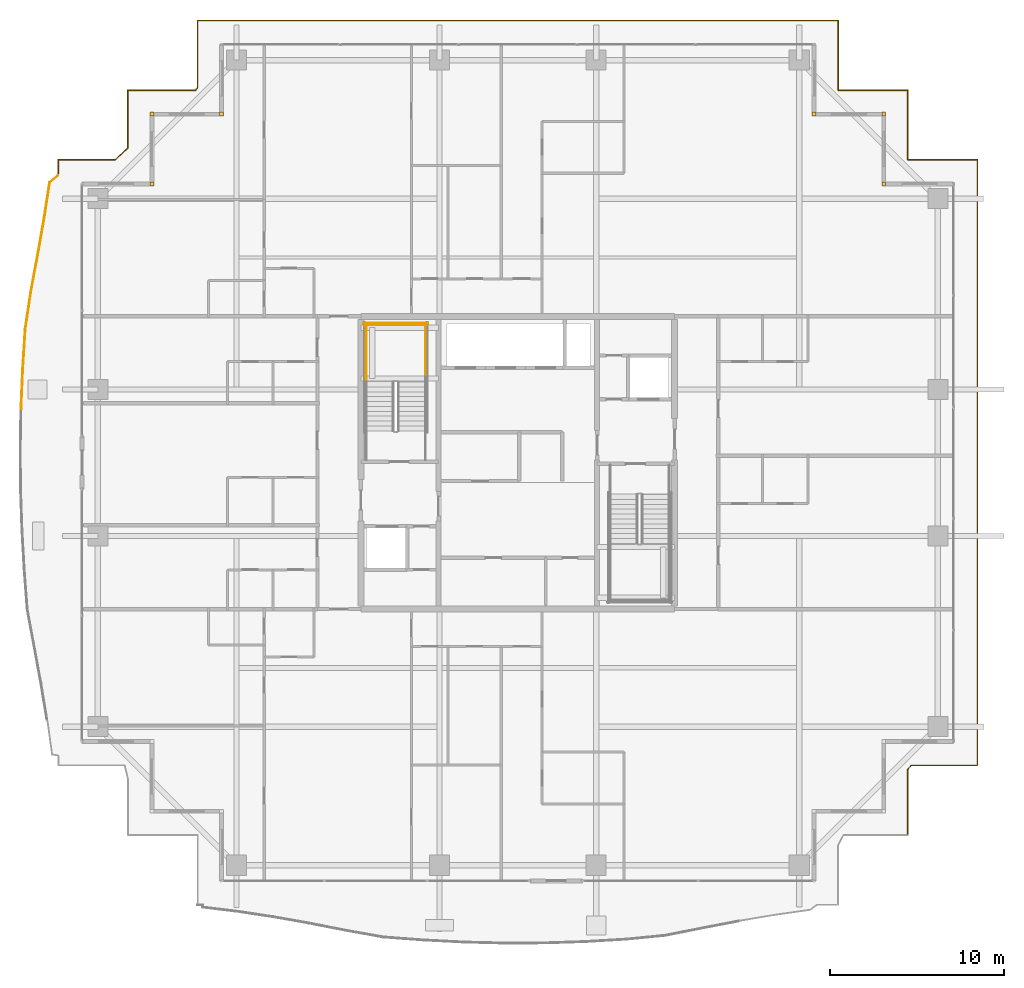
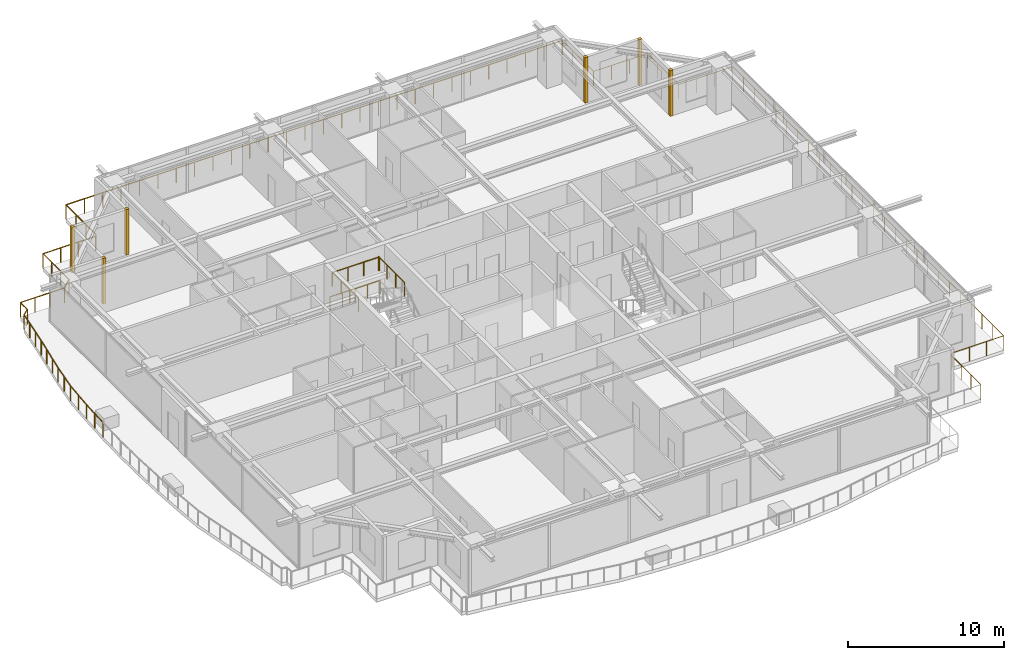
# One storey, part 36 of 36: 7 railings, 6 coverings.
"""IFC4 building model written with IfcOpenShell, lengths in metres."""

from ifc_helpers import new_model, si_unit, direction, frame, origin, origin_2d, place, context, subcontext, project, spatial, rectangle, circle, extrude, source, transform, mapped, material, layer, layer_set, type_object, element, save


model = new_model("IFC4")

# Units and contexts
model_context = context("Model", 3, precision=1e-05, world=origin(), true_north=direction((0.0, 1.0)))
body_context = subcontext(model_context, "Body", "Model", "MODEL_VIEW")
ifc_project = project(units=[si_unit("LENGTHUNIT", "METRE"), si_unit("AREAUNIT", "SQUARE_METRE"), si_unit("VOLUMEUNIT", "CUBIC_METRE"), si_unit("PLANEANGLEUNIT", "RADIAN"), si_unit("MASSUNIT", "GRAM", prefix="KILO")], contexts=[model_context])

# Site, building, storey
site_placement = place(None, origin())
site = spatial("IfcSite", under=ifc_project, at=site_placement, CompositionType="ELEMENT")
building_placement = place(site_placement, origin())
building = spatial("IfcBuilding", under=site, at=building_placement, Name="Serunith Strait Residences", CompositionType="ELEMENT")
storey_placement = place(building_placement, frame((0.0, 0.0, 272.050048828125)))
storey = spatial("IfcBuildingStorey", under=building, at=storey_placement, Name="L68", CompositionType="ELEMENT", Elevation=272.050048828125)

# Railings
ifc_material_1 = material(Name="Stainless Steel & Laminated Glass Balustrade", Category="steel")
railing_type_1 = type_object("IfcRailingType", Name="RLG-BALC-1150", PredefinedType="BALUSTRADE", material=ifc_material_1)
railing_1_placement = place(storey_placement, frame((3.897216796875, 28.287841796875, -0.050048828125)))
element("IfcRailing", 1, at=railing_1_placement, inside=storey, type_object=railing_type_1, Name="L68 Swirling Balcony Perimeter Balustrade 3", PredefinedType="BALUSTRADE", context=body_context, shape_type="SweptSolid", body=[
    extrude(circle(Radius=0.02392578125, at=origin_2d()), frame((0.0, 0.001953125, 1.1259765625), z_axis=(0.04203913247, 0.999115964912, 0.0), x_axis=(-0.999115964912, 0.04203913247, 0.0)), (0.0, 0.0, 1.0), 2.307373046875),
    extrude(circle(Radius=0.02392578125, at=origin_2d()), frame((0.097412109375, 2.311279296875, 1.1259765625), z_axis=(0.063688832216, 0.997969805481, 0.0), x_axis=(-0.997969805481, 0.063688832216, 0.0)), (0.0, 0.0, 1.0), 2.28076171875),
    extrude(circle(Radius=0.02392578125, at=origin_2d()), frame((0.242919921875, 4.59130859375, 1.1259765625), z_axis=(0.147694138724, 0.989033084071, 0.0), x_axis=(-0.989033084071, 0.147694138724, 0.0)), (0.0, 0.0, 1.0), 2.212646484375),
    extrude(circle(Radius=0.02392578125, at=origin_2d()), frame((0.570556640625, 6.78369140625, 1.1259765625), z_axis=(0.184659476685, 0.982802562914, 0.0), x_axis=(-0.982802562914, 0.184659476685, 0.0)), (0.0, 0.0, 1.0), 2.141845703125),
    extrude(circle(Radius=0.02392578125, at=origin_2d()), frame((0.966552734375, 8.892578125, 1.1259765625), z_axis=(0.172847119247, 0.984948665347, 0.0), x_axis=(-0.984948665347, 0.172847119247, 0.0)), (0.0, 0.0, 1.0), 2.08935546875),
    extrude(circle(Radius=0.02392578125, at=origin_2d()), frame((1.328369140625, 10.954345703125, 1.1259765625), z_axis=(0.15096901969, 0.988538494493, 0.0), x_axis=(-0.988538494493, 0.15096901969, 0.0)), (0.0, 0.0, 1.0), 2.052978515625),
    extrude(circle(Radius=0.02392578125, at=origin_2d()), frame((1.64013671875, 12.987060546875, 1.1259765625), z_axis=(0.765081257459, 0.643933746192, 0.0), x_axis=(-0.643933746192, 0.765081257459, 0.0)), (0.0, 0.0, 1.0), 0.628662109375),
    extrude(circle(Radius=0.02099609375, at=origin_2d()), origin(), (0.0, 0.0, 1.0), 1.099853515625),
    extrude(circle(Radius=0.02099609375, at=origin_2d()), frame((0.048583984375, 1.15478515625, 0.0)), (0.0, 0.0, 1.0), 1.099853515625),
    extrude(circle(Radius=0.02099609375, at=origin_2d()), frame((0.09716796875, 2.309326171875, 0.0)), (0.0, 0.0, 1.0), 1.099853515625),
    extrude(circle(Radius=0.02099609375, at=origin_2d()), frame((0.169921875, 3.44921875, 0.0)), (0.0, 0.0, 1.0), 1.099853515625),
    extrude(circle(Radius=0.02099609375, at=origin_2d()), frame((0.24267578125, 4.58935546875, 0.0)), (0.0, 0.0, 1.0), 1.099853515625),
    extrude(circle(Radius=0.02099609375, at=origin_2d()), frame((0.40625, 5.685546875, 0.0)), (0.0, 0.0, 1.0), 1.099853515625),
    extrude(circle(Radius=0.02099609375, at=origin_2d()), frame((0.570068359375, 6.78173828125, 0.0)), (0.0, 0.0, 1.0), 1.099853515625),
    extrude(circle(Radius=0.02099609375, at=origin_2d()), frame((0.76806640625, 7.836181640625, 0.0)), (0.0, 0.0, 1.0), 1.099853515625),
    extrude(circle(Radius=0.02099609375, at=origin_2d()), frame((0.96630859375, 8.890625, 0.0)), (0.0, 0.0, 1.0), 1.099853515625),
    extrude(circle(Radius=0.02099609375, at=origin_2d()), frame((1.147216796875, 9.92138671875, 0.0)), (0.0, 0.0, 1.0), 1.099853515625),
    extrude(circle(Radius=0.02099609375, at=origin_2d()), frame((1.328125, 10.952392578125, 0.0)), (0.0, 0.0, 1.0), 1.099853515625),
    extrude(circle(Radius=0.02099609375, at=origin_2d()), frame((1.4833984375, 11.96923828125, 0.0)), (0.0, 0.0, 1.0), 1.099853515625),
    extrude(circle(Radius=0.02099609375, at=origin_2d()), frame((1.638671875, 12.98583984375, 0.0)), (0.0, 0.0, 1.0), 1.099853515625),
    extrude(circle(Radius=0.02099609375, at=origin_2d()), frame((2.122802734375, 13.393310546875, 0.0)), (0.0, 0.0, 1.0), 1.099853515625),
])
railing_2_placement = place(storey_placement, frame((6.02001953125, 41.68115234375, -0.050048828125)))
element("IfcRailing", 2, at=railing_2_placement, inside=storey, type_object=railing_type_1, Name="L68 Swirling Balcony Perimeter Balustrade 4", PredefinedType="BALUSTRADE", context=body_context, shape_type="SweptSolid", body=[
    extrude(circle(Radius=0.02392578125, at=origin_2d()), frame((0.0, 0.001953125, 1.1259765625), z_axis=(0.0, 1.0, 0.0), x_axis=(-1.0, 0.0, 0.0)), (0.0, 0.0, 1.0), 0.89501953125),
    extrude(circle(Radius=0.02392578125, at=origin_2d()), frame((0.001953125, 0.89892578125, 1.1259765625), z_axis=(1.0, 0.0, 0.0), x_axis=(0.0, 1.0, 0.0)), (0.0, 0.0, 1.0), 3.25927734375),
    extrude(circle(Radius=0.02392578125, at=origin_2d()), frame((3.2646484375, 0.900390625, 1.1259765625), z_axis=(0.732603257625, 0.680655909338, 0.0), x_axis=(-0.680655909338, 0.732603257625, 0.0)), (0.0, 0.0, 1.0), 1.001708984375),
    extrude(circle(Radius=0.02392578125, at=origin_2d()), frame((4.0, 1.58544921875, 1.1259765625), z_axis=(0.0, 1.0, 0.0), x_axis=(-1.0, 0.0, 0.0)), (0.0, 0.0, 1.0), 3.3115234375),
    extrude(circle(Radius=0.02392578125, at=origin_2d()), frame((4.001953125, 4.89892578125, 1.1259765625), z_axis=(1.0, 0.0, 0.0), x_axis=(0.0, 1.0, 0.0)), (0.0, 0.0, 1.0), 3.89501953125),
    extrude(circle(Radius=0.02392578125, at=origin_2d()), frame((7.89990234375, 4.900634765625, 1.1259765625), z_axis=(0.547356223896, 0.836899733638, 0.0), x_axis=(-0.836899733638, 0.547356223896, 0.0)), (0.0, 0.0, 1.0), 0.1806640625),
    extrude(circle(Radius=0.02392578125, at=origin_2d()), frame((8.0, 5.055419921875, 1.1259765625), z_axis=(0.0, 1.0, 0.0), x_axis=(-1.0, 0.0, 0.0)), (0.0, 0.0, 1.0), 3.841552734375),
    extrude(circle(Radius=0.02392578125, at=origin_2d()), frame((8.001953125, 8.89892578125, 1.1259765625), z_axis=(1.0, 0.0, 0.0), x_axis=(0.0, 1.0, 0.0)), (0.0, 0.0, 1.0), 36.756103515625),
    extrude(circle(Radius=0.02099609375, at=origin_2d()), origin(), (0.0, 0.0, 1.0), 1.099853515625),
    extrude(circle(Radius=0.02099609375, at=origin_2d()), frame((0.0, 0.89892578125, 0.0)), (0.0, 0.0, 1.0), 1.099853515625),
    extrude(circle(Radius=0.02099609375, at=origin_2d()), frame((1.087646484375, 0.89892578125, 0.0)), (0.0, 0.0, 1.0), 1.099853515625),
    extrude(circle(Radius=0.02099609375, at=origin_2d()), frame((2.175537109375, 0.89892578125, 0.0)), (0.0, 0.0, 1.0), 1.099853515625),
    extrude(circle(Radius=0.02099609375, at=origin_2d()), frame((3.26318359375, 0.89892578125, 0.0)), (0.0, 0.0, 1.0), 1.099853515625),
    extrude(circle(Radius=0.02099609375, at=origin_2d()), frame((4.0, 1.58349609375, 0.0)), (0.0, 0.0, 1.0), 1.099853515625),
    extrude(circle(Radius=0.02099609375, at=origin_2d()), frame((4.0, 2.688720703125, 0.0)), (0.0, 0.0, 1.0), 1.099853515625),
    extrude(circle(Radius=0.02099609375, at=origin_2d()), frame((4.0, 3.793701171875, 0.0)), (0.0, 0.0, 1.0), 1.099853515625),
    extrude(circle(Radius=0.02099609375, at=origin_2d()), frame((4.0, 4.89892578125, 0.0)), (0.0, 0.0, 1.0), 1.099853515625),
    extrude(circle(Radius=0.02099609375, at=origin_2d()), frame((5.299560546875, 4.89892578125, 0.0)), (0.0, 0.0, 1.0), 1.099853515625),
    extrude(circle(Radius=0.02099609375, at=origin_2d()), frame((6.599365234375, 4.89892578125, 0.0)), (0.0, 0.0, 1.0), 1.099853515625),
    extrude(circle(Radius=0.02099609375, at=origin_2d()), frame((7.89892578125, 4.89892578125, 0.0)), (0.0, 0.0, 1.0), 1.099853515625),
    extrude(circle(Radius=0.02099609375, at=origin_2d()), frame((8.0, 5.053466796875, 0.0)), (0.0, 0.0, 1.0), 1.099853515625),
    extrude(circle(Radius=0.02099609375, at=origin_2d()), frame((8.0, 6.335205078125, 0.0)), (0.0, 0.0, 1.0), 1.099853515625),
    extrude(circle(Radius=0.02099609375, at=origin_2d()), frame((8.0, 7.6171875, 0.0)), (0.0, 0.0, 1.0), 1.099853515625),
    extrude(circle(Radius=0.02099609375, at=origin_2d()), frame((8.0, 8.89892578125, 0.0)), (0.0, 0.0, 1.0), 1.099853515625),
    extrude(circle(Radius=0.02099609375, at=origin_2d()), frame((9.361572265625, 8.89892578125, 0.0)), (0.0, 0.0, 1.0), 1.099853515625),
    extrude(circle(Radius=0.02099609375, at=origin_2d()), frame((10.722900390625, 8.89892578125, 0.0)), (0.0, 0.0, 1.0), 1.099853515625),
    extrude(circle(Radius=0.02099609375, at=origin_2d()), frame((12.08447265625, 8.89892578125, 0.0)), (0.0, 0.0, 1.0), 1.099853515625),
    extrude(circle(Radius=0.02099609375, at=origin_2d()), frame((13.446044921875, 8.89892578125, 0.0)), (0.0, 0.0, 1.0), 1.099853515625),
    extrude(circle(Radius=0.02099609375, at=origin_2d()), frame((14.807373046875, 8.89892578125, 0.0)), (0.0, 0.0, 1.0), 1.099853515625),
    extrude(circle(Radius=0.02099609375, at=origin_2d()), frame((16.1689453125, 8.89892578125, 0.0)), (0.0, 0.0, 1.0), 1.099853515625),
    extrude(circle(Radius=0.02099609375, at=origin_2d()), frame((17.5302734375, 8.89892578125, 0.0)), (0.0, 0.0, 1.0), 1.099853515625),
    extrude(circle(Radius=0.02099609375, at=origin_2d()), frame((18.891845703125, 8.89892578125, 0.0)), (0.0, 0.0, 1.0), 1.099853515625),
    extrude(circle(Radius=0.02099609375, at=origin_2d()), frame((20.25341796875, 8.89892578125, 0.0)), (0.0, 0.0, 1.0), 1.099853515625),
    extrude(circle(Radius=0.02099609375, at=origin_2d()), frame((21.61474609375, 8.89892578125, 0.0)), (0.0, 0.0, 1.0), 1.099853515625),
    extrude(circle(Radius=0.02099609375, at=origin_2d()), frame((22.976318359375, 8.89892578125, 0.0)), (0.0, 0.0, 1.0), 1.099853515625),
    extrude(circle(Radius=0.02099609375, at=origin_2d()), frame((24.337890625, 8.89892578125, 0.0)), (0.0, 0.0, 1.0), 1.099853515625),
    extrude(circle(Radius=0.02099609375, at=origin_2d()), frame((25.69921875, 8.89892578125, 0.0)), (0.0, 0.0, 1.0), 1.099853515625),
    extrude(circle(Radius=0.02099609375, at=origin_2d()), frame((27.060791015625, 8.89892578125, 0.0)), (0.0, 0.0, 1.0), 1.099853515625),
    extrude(circle(Radius=0.02099609375, at=origin_2d()), frame((28.422119140625, 8.89892578125, 0.0)), (0.0, 0.0, 1.0), 1.099853515625),
    extrude(circle(Radius=0.02099609375, at=origin_2d()), frame((29.78369140625, 8.89892578125, 0.0)), (0.0, 0.0, 1.0), 1.099853515625),
    extrude(circle(Radius=0.02099609375, at=origin_2d()), frame((31.145263671875, 8.89892578125, 0.0)), (0.0, 0.0, 1.0), 1.099853515625),
    extrude(circle(Radius=0.02099609375, at=origin_2d()), frame((32.506591796875, 8.89892578125, 0.0)), (0.0, 0.0, 1.0), 1.099853515625),
    extrude(circle(Radius=0.02099609375, at=origin_2d()), frame((33.8681640625, 8.89892578125, 0.0)), (0.0, 0.0, 1.0), 1.099853515625),
    extrude(circle(Radius=0.02099609375, at=origin_2d()), frame((35.229736328125, 8.89892578125, 0.0)), (0.0, 0.0, 1.0), 1.099853515625),
    extrude(circle(Radius=0.02099609375, at=origin_2d()), frame((36.591064453125, 8.89892578125, 0.0)), (0.0, 0.0, 1.0), 1.099853515625),
    extrude(circle(Radius=0.02099609375, at=origin_2d()), frame((37.95263671875, 8.89892578125, 0.0)), (0.0, 0.0, 1.0), 1.099853515625),
    extrude(circle(Radius=0.02099609375, at=origin_2d()), frame((39.31396484375, 8.89892578125, 0.0)), (0.0, 0.0, 1.0), 1.099853515625),
    extrude(circle(Radius=0.02099609375, at=origin_2d()), frame((40.675537109375, 8.89892578125, 0.0)), (0.0, 0.0, 1.0), 1.099853515625),
    extrude(circle(Radius=0.02099609375, at=origin_2d()), frame((42.037109375, 8.89892578125, 0.0)), (0.0, 0.0, 1.0), 1.099853515625),
    extrude(circle(Radius=0.02099609375, at=origin_2d()), frame((43.3984375, 8.89892578125, 0.0)), (0.0, 0.0, 1.0), 1.099853515625),
    extrude(circle(Radius=0.02099609375, at=origin_2d()), frame((44.760009765625, 8.89892578125, 0.0)), (0.0, 0.0, 1.0), 1.099853515625),
])
railing_3_placement = place(storey_placement, frame((50.780029296875, 50.580078125, -0.050048828125)))
element("IfcRailing", 3, at=railing_3_placement, inside=storey, type_object=railing_type_1, Name="L68 Swirling Balcony Perimeter Balustrade 5", PredefinedType="BALUSTRADE", context=body_context, shape_type="SweptSolid", body=[
    extrude(circle(Radius=0.02392578125, at=origin_2d()), frame((0.0, -0.001953125, 1.1259765625), z_axis=(0.0, -1.0, 0.0), x_axis=(1.0, 0.0, 0.0)), (0.0, 0.0, 1.0), 3.99609375),
    extrude(circle(Radius=0.02392578125, at=origin_2d()), frame((0.001953125, -4.0, 1.1259765625), z_axis=(1.0, 0.0, 0.0), x_axis=(0.0, 1.0, 0.0)), (0.0, 0.0, 1.0), 3.99609375),
    extrude(circle(Radius=0.02392578125, at=origin_2d()), frame((4.0, -4.001953125, 1.1259765625), z_axis=(0.0, -1.0, 0.0), x_axis=(1.0, 0.0, 0.0)), (0.0, 0.0, 1.0), 3.99609375),
    extrude(circle(Radius=0.02392578125, at=origin_2d()), frame((4.001953125, -8.0, 1.1259765625), z_axis=(1.0, 0.0, 0.0), x_axis=(0.0, 1.0, 0.0)), (0.0, 0.0, 1.0), 3.99609375),
    extrude(circle(Radius=0.02392578125, at=origin_2d()), frame((8.0, -8.001953125, 1.1259765625), z_axis=(0.0, -1.0, 0.0), x_axis=(1.0, 0.0, 0.0)), (0.0, 0.0, 1.0), 34.756103515625),
    extrude(circle(Radius=0.02392578125, at=origin_2d()), frame((7.998046875, -42.760009765625, 1.1259765625), z_axis=(-1.0, 0.0, 0.0), x_axis=(0.0, -1.0, 0.0)), (0.0, 0.0, 1.0), 3.801025390625),
    extrude(circle(Radius=0.02392578125, at=origin_2d()), frame((4.19384765625, -42.761474609375, 1.1259765625), z_axis=(-0.659789800433, -0.751450210756, 0.0), x_axis=(0.751450210756, -0.659789800433, 0.0)), (0.0, 0.0, 1.0), 0.291748046875),
    extrude(circle(Radius=0.02392578125, at=origin_2d()), frame((4.0, -42.984130859375, 1.1259765625), z_axis=(0.0, -1.0, 0.0), x_axis=(1.0, 0.0, 0.0)), (0.0, 0.0, 1.0), 3.77392578125),
    extrude(circle(Radius=0.02099609375, at=origin_2d()), origin(), (0.0, 0.0, 1.0), 1.099853515625),
    extrude(circle(Radius=0.02099609375, at=origin_2d()), frame((0.0, -1.333251953125, 0.0)), (0.0, 0.0, 1.0), 1.099853515625),
    extrude(circle(Radius=0.02099609375, at=origin_2d()), frame((0.0, -2.666748046875, 0.0)), (0.0, 0.0, 1.0), 1.099853515625),
    extrude(circle(Radius=0.02099609375, at=origin_2d()), frame((0.0, -4.0, 0.0)), (0.0, 0.0, 1.0), 1.099853515625),
    extrude(circle(Radius=0.02099609375, at=origin_2d()), frame((1.333251953125, -4.0, 0.0)), (0.0, 0.0, 1.0), 1.099853515625),
    extrude(circle(Radius=0.02099609375, at=origin_2d()), frame((2.666748046875, -4.0, 0.0)), (0.0, 0.0, 1.0), 1.099853515625),
    extrude(circle(Radius=0.02099609375, at=origin_2d()), frame((4.0, -4.0, 0.0)), (0.0, 0.0, 1.0), 1.099853515625),
    extrude(circle(Radius=0.02099609375, at=origin_2d()), frame((4.0, -5.333251953125, 0.0)), (0.0, 0.0, 1.0), 1.099853515625),
    extrude(circle(Radius=0.02099609375, at=origin_2d()), frame((4.0, -6.666748046875, 0.0)), (0.0, 0.0, 1.0), 1.099853515625),
    extrude(circle(Radius=0.02099609375, at=origin_2d()), frame((4.0, -8.0, 0.0)), (0.0, 0.0, 1.0), 1.099853515625),
    extrude(circle(Radius=0.02099609375, at=origin_2d()), frame((5.333251953125, -8.0, 0.0)), (0.0, 0.0, 1.0), 1.099853515625),
    extrude(circle(Radius=0.02099609375, at=origin_2d()), frame((6.666748046875, -8.0, 0.0)), (0.0, 0.0, 1.0), 1.099853515625),
    extrude(circle(Radius=0.02099609375, at=origin_2d()), frame((8.0, -8.0, 0.0)), (0.0, 0.0, 1.0), 1.099853515625),
    extrude(circle(Radius=0.02099609375, at=origin_2d()), frame((8.0, -9.390380859375, 0.0)), (0.0, 0.0, 1.0), 1.099853515625),
    extrude(circle(Radius=0.02099609375, at=origin_2d()), frame((8.0, -10.78076171875, 0.0)), (0.0, 0.0, 1.0), 1.099853515625),
    extrude(circle(Radius=0.02099609375, at=origin_2d()), frame((8.0, -12.171142578125, 0.0)), (0.0, 0.0, 1.0), 1.099853515625),
    extrude(circle(Radius=0.02099609375, at=origin_2d()), frame((8.0, -13.5615234375, 0.0)), (0.0, 0.0, 1.0), 1.099853515625),
    extrude(circle(Radius=0.02099609375, at=origin_2d()), frame((8.0, -14.951904296875, 0.0)), (0.0, 0.0, 1.0), 1.099853515625),
    extrude(circle(Radius=0.02099609375, at=origin_2d()), frame((8.0, -16.34228515625, 0.0)), (0.0, 0.0, 1.0), 1.099853515625),
    extrude(circle(Radius=0.02099609375, at=origin_2d()), frame((8.0, -17.73291015625, 0.0)), (0.0, 0.0, 1.0), 1.099853515625),
    extrude(circle(Radius=0.02099609375, at=origin_2d()), frame((8.0, -19.123291015625, 0.0)), (0.0, 0.0, 1.0), 1.099853515625),
    extrude(circle(Radius=0.02099609375, at=origin_2d()), frame((8.0, -20.513671875, 0.0)), (0.0, 0.0, 1.0), 1.099853515625),
    extrude(circle(Radius=0.02099609375, at=origin_2d()), frame((8.0, -21.904052734375, 0.0)), (0.0, 0.0, 1.0), 1.099853515625),
    extrude(circle(Radius=0.02099609375, at=origin_2d()), frame((8.0, -23.29443359375, 0.0)), (0.0, 0.0, 1.0), 1.099853515625),
    extrude(circle(Radius=0.02099609375, at=origin_2d()), frame((8.0, -24.684814453125, 0.0)), (0.0, 0.0, 1.0), 1.099853515625),
    extrude(circle(Radius=0.02099609375, at=origin_2d()), frame((8.0, -26.0751953125, 0.0)), (0.0, 0.0, 1.0), 1.099853515625),
    extrude(circle(Radius=0.02099609375, at=origin_2d()), frame((8.0, -27.465576171875, 0.0)), (0.0, 0.0, 1.0), 1.099853515625),
    extrude(circle(Radius=0.02099609375, at=origin_2d()), frame((8.0, -28.85595703125, 0.0)), (0.0, 0.0, 1.0), 1.099853515625),
    extrude(circle(Radius=0.02099609375, at=origin_2d()), frame((8.0, -30.246337890625, 0.0)), (0.0, 0.0, 1.0), 1.099853515625),
    extrude(circle(Radius=0.02099609375, at=origin_2d()), frame((8.0, -31.63671875, 0.0)), (0.0, 0.0, 1.0), 1.099853515625),
    extrude(circle(Radius=0.02099609375, at=origin_2d()), frame((8.0, -33.027099609375, 0.0)), (0.0, 0.0, 1.0), 1.099853515625),
    extrude(circle(Radius=0.02099609375, at=origin_2d()), frame((8.0, -34.417724609375, 0.0)), (0.0, 0.0, 1.0), 1.099853515625),
    extrude(circle(Radius=0.02099609375, at=origin_2d()), frame((8.0, -35.80810546875, 0.0)), (0.0, 0.0, 1.0), 1.099853515625),
    extrude(circle(Radius=0.02099609375, at=origin_2d()), frame((8.0, -37.198486328125, 0.0)), (0.0, 0.0, 1.0), 1.099853515625),
    extrude(circle(Radius=0.02099609375, at=origin_2d()), frame((8.0, -38.5888671875, 0.0)), (0.0, 0.0, 1.0), 1.099853515625),
    extrude(circle(Radius=0.02099609375, at=origin_2d()), frame((8.0, -39.979248046875, 0.0)), (0.0, 0.0, 1.0), 1.099853515625),
    extrude(circle(Radius=0.02099609375, at=origin_2d()), frame((8.0, -41.36962890625, 0.0)), (0.0, 0.0, 1.0), 1.099853515625),
    extrude(circle(Radius=0.02099609375, at=origin_2d()), frame((8.0, -42.760009765625, 0.0)), (0.0, 0.0, 1.0), 1.099853515625),
    extrude(circle(Radius=0.02099609375, at=origin_2d()), frame((6.731689453125, -42.760009765625, 0.0)), (0.0, 0.0, 1.0), 1.099853515625),
    extrude(circle(Radius=0.02099609375, at=origin_2d()), frame((5.46337890625, -42.760009765625, 0.0)), (0.0, 0.0, 1.0), 1.099853515625),
    extrude(circle(Radius=0.02099609375, at=origin_2d()), frame((4.195068359375, -42.760009765625, 0.0)), (0.0, 0.0, 1.0), 1.099853515625),
    extrude(circle(Radius=0.02099609375, at=origin_2d()), frame((4.0, -42.982177734375, 0.0)), (0.0, 0.0, 1.0), 1.099853515625),
    extrude(circle(Radius=0.02099609375, at=origin_2d()), frame((4.0, -44.241455078125, 0.0)), (0.0, 0.0, 1.0), 1.099853515625),
    extrude(circle(Radius=0.02099609375, at=origin_2d()), frame((4.0, -45.500732421875, 0.0)), (0.0, 0.0, 1.0), 1.099853515625),
    extrude(circle(Radius=0.02099609375, at=origin_2d()), frame((4.0, -46.760009765625, 0.0)), (0.0, 0.0, 1.0), 1.099853515625),
])
ifc_material_2 = material(Name="Brushed stainless steel 316L", Category="steel")
railing_type_2 = type_object("IfcRailingType", Name="RLG-STAIR-GUARD", PredefinedType="BALUSTRADE", material=ifc_material_2)
for number, where, name in (
    (4, (27.10009765625, 29.830078125, 1.925048828125), "L68 ST-1 stair guard 3"),
    (5, (23.699951171875, 29.830078125, 1.925048828125), "L68 ST-1 stair guard 4"),
):
    element("IfcRailing", number, at=place(storey_placement, frame(where)), inside=storey, type_object=railing_type_2, Name=name, PredefinedType="BALUSTRADE", context=body_context, shape_type="SweptSolid", body=[
        extrude(circle(Radius=0.02392578125, at=origin_2d()), frame((0.0, 0.001953125, 1.076171875), z_axis=(0.0, 1.0, 0.0), x_axis=(-1.0, 0.0, 0.0)), (0.0, 0.0, 1.0), 3.31591796875),
        extrude(circle(Radius=0.02099609375, at=origin_2d()), origin(), (0.0, 0.0, 1.0), 1.050048828125),
        extrude(circle(Radius=0.02099609375, at=origin_2d()), frame((0.0, 1.106689453125, 0.0)), (0.0, 0.0, 1.0), 1.050048828125),
        extrude(circle(Radius=0.02099609375, at=origin_2d()), frame((0.0, 2.213134765625, 0.0)), (0.0, 0.0, 1.0), 1.050048828125),
        extrude(circle(Radius=0.02099609375, at=origin_2d()), frame((0.0, 3.31982421875, 0.0)), (0.0, 0.0, 1.0), 1.050048828125),
    ])
railing_4_placement = place(storey_placement, frame((27.14990234375, 33.10009765625, 1.925048828125)))
element("IfcRailing", 6, at=railing_4_placement, inside=storey, type_object=railing_type_2, Name="L68 ST-1 stair guard 5", PredefinedType="BALUSTRADE", context=body_context, shape_type="SweptSolid", body=[
    extrude(circle(Radius=0.02392578125, at=origin_2d()), frame((-0.001953125, 0.0, 1.076171875), z_axis=(-1.0, 0.0, 0.0), x_axis=(0.0, -1.0, 0.0)), (0.0, 0.0, 1.0), 3.49609375),
    extrude(circle(Radius=0.02099609375, at=origin_2d()), origin(), (0.0, 0.0, 1.0), 1.050048828125),
    extrude(circle(Radius=0.02099609375, at=origin_2d()), frame((-1.166748046875, 0.0, 0.0)), (0.0, 0.0, 1.0), 1.050048828125),
    extrude(circle(Radius=0.02099609375, at=origin_2d()), frame((-2.333251953125, 0.0, 0.0)), (0.0, 0.0, 1.0), 1.050048828125),
    extrude(circle(Radius=0.02099609375, at=origin_2d()), frame((-3.5, 0.0, 0.0)), (0.0, 0.0, 1.0), 1.050048828125),
])
railing_5_placement = place(storey_placement, frame((27.25, 33.199951171875, 0.0)))
element("IfcRailing", 7, at=railing_5_placement, inside=storey, type_object=railing_type_2, Name="L68 ST-1 stair guard 12", PredefinedType="BALUSTRADE", context=body_context, shape_type="SweptSolid", body=[
    extrude(circle(Radius=0.02392578125, at=origin_2d()), frame((-0.001953125, 0.0, 1.076171875), z_axis=(-1.0, 0.0, 0.0), x_axis=(0.0, -1.0, 0.0)), (0.0, 0.0, 1.0), 3.696044921875),
    extrude(circle(Radius=0.02099609375, at=origin_2d()), origin(), (0.0, 0.0, 1.0), 1.050048828125),
    extrude(circle(Radius=0.02099609375, at=origin_2d()), frame((-0.925048828125, 0.0, 0.0)), (0.0, 0.0, 1.0), 1.050048828125),
    extrude(circle(Radius=0.02099609375, at=origin_2d()), frame((-1.85009765625, 0.0, 0.0)), (0.0, 0.0, 1.0), 1.050048828125),
    extrude(circle(Radius=0.02099609375, at=origin_2d()), frame((-2.77490234375, 0.0, 0.0)), (0.0, 0.0, 1.0), 1.050048828125),
    extrude(circle(Radius=0.02099609375, at=origin_2d()), frame((-3.699951171875, 0.0, 0.0)), (0.0, 0.0, 1.0), 1.050048828125),
])

# Coverings
ifc_material_3 = material(Name="Pale-Champagne Anodised Aluminium", Category="aluminium")
ifc_layer = layer(ifc_material_3, 0.219970703125, Name="Pale-Champagne Anodised Aluminium")
ifc_layer_set = layer_set([ifc_layer], Name="Pale-Champagne Anodised Aluminium")
covering_type = type_object("IfcCoveringType", Name="COV-CORN-TRIM", PredefinedType="CLADDING", material=ifc_layer_set)
shared_shape = source(origin(), body_context, "Body", "SweptSolid", [
    extrude(rectangle(XDim=0.221923828125, YDim=0.221923828125, at=origin_2d()), origin(), (0.0, 0.0, 1.0), 3.574951171875),
])
for number, where, z_axis, x_axis, name in (
    (8, (53.39990234375, 41.199951171875, 0.0), (0.0, 0.0, 1.0), (1.0, 0.0, 0.0), "L68 Girih Serrated Corner Trim Post 07"),
    (9, (53.39990234375, 45.199951171875, 0.0), (0.0, 0.0, 1.0), (1.0, 0.0, 0.0), "L68 Girih Serrated Corner Trim Post 08"),
    (10, (49.39990234375, 45.199951171875, 0.0), (0.0, 0.0, 1.0), (1.0, 0.0, 0.0), "L68 Girih Serrated Corner Trim Post 09"),
    (11, (15.39990234375, 45.199951171875, 0.0), (0.0, 0.0, 1.0), (1.0, 0.0, 0.0), "L68 Girih Serrated Corner Trim Post 12"),
    (12, (11.39990234375, 45.199951171875, 0.0), (0.0, 0.0, 1.0), (1.0, 0.0, 0.0), "L68 Girih Serrated Corner Trim Post 13"),
    (13, (11.39990234375, 41.199951171875, 0.0), (0.0, 0.0, 1.0), (1.0, 0.0, 0.0), "L68 Girih Serrated Corner Trim Post 14"),
):
    element("IfcCovering", number, at=place(storey_placement, frame(where, z_axis=z_axis, x_axis=x_axis)), inside=storey, type_object=covering_type, Name=name, PredefinedType="CLADDING", context=body_context, shape_type="MappedRepresentation", body=[
        mapped(shared_shape, transform((0.0, 0.0, 0.0), scale=1.0)),
    ])

save(model, "model.ifc")
